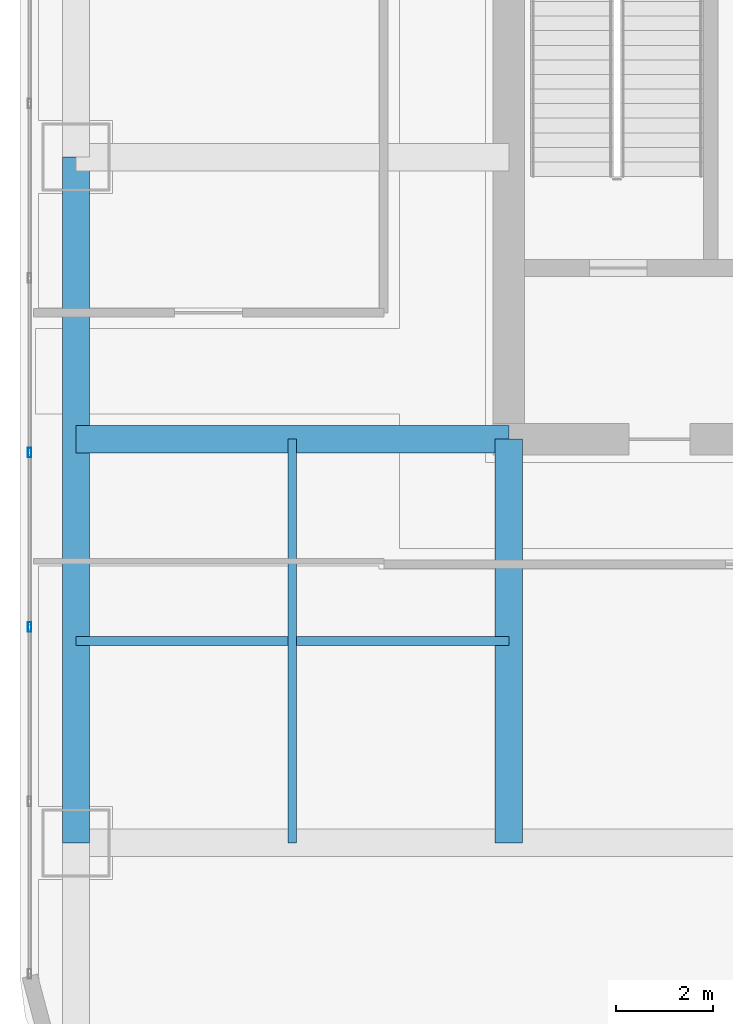
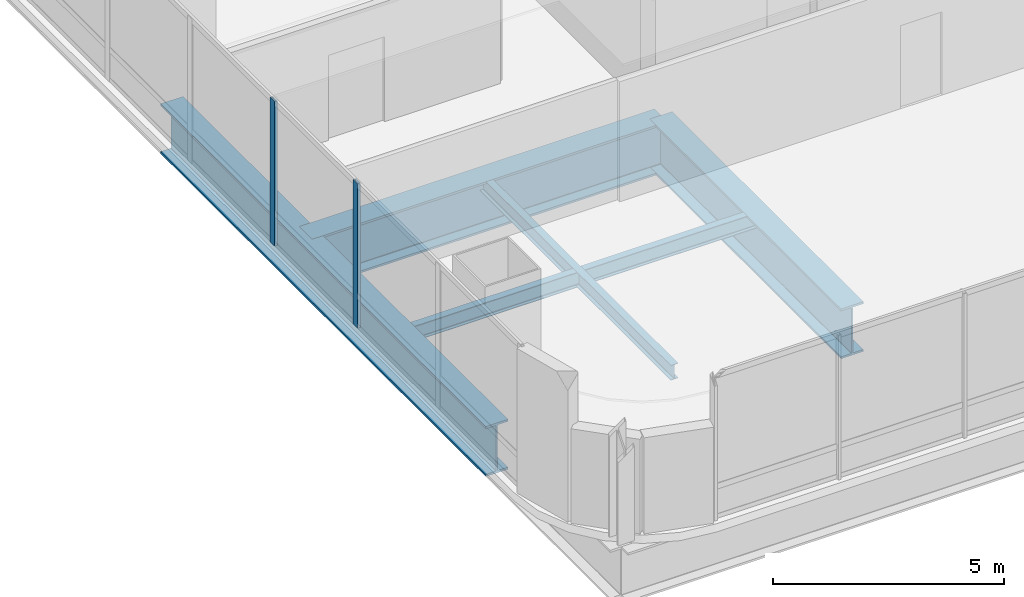
# One storey, part 4 of 41: 5 beams, 2 members, 1 element without a shape of its own.
"""IFC4 building model written with IfcOpenShell, lengths in metres."""

from ifc_helpers import new_model, si_unit, direction, frame, origin, origin_2d, place, context, subcontext, project, spatial, hollow_rectangle, i_section, extrude, material, material_profile, profile_set, type_object, element, aggregate, save


model = new_model("IFC4")

# Units and contexts
model_context = context("Model", 3, precision=1e-05, world=origin(), true_north=direction((0.0, 1.0)))
body_context = subcontext(model_context, "Body", "Model", "MODEL_VIEW")
ifc_project = project(units=[si_unit("LENGTHUNIT", "METRE"), si_unit("AREAUNIT", "SQUARE_METRE"), si_unit("VOLUMEUNIT", "CUBIC_METRE"), si_unit("PLANEANGLEUNIT", "RADIAN"), si_unit("MASSUNIT", "GRAM", prefix="KILO")], contexts=[model_context])

# Site, building, storey
site_placement = place(None, origin())
site = spatial("IfcSite", under=ifc_project, at=site_placement, CompositionType="ELEMENT")
building_placement = place(site_placement, origin())
building = spatial("IfcBuilding", under=site, at=building_placement, Name="Punatoya Terracotta Tower", CompositionType="ELEMENT")
storey_placement = place(building_placement, frame((0.0, 0.0, 220.800048828125)))
storey = spatial("IfcBuildingStorey", under=building, at=storey_placement, Name="L52", CompositionType="ELEMENT", Elevation=220.800048828125)

# Beams
ifc_material_1 = material(Name="Steel S355", Category="steel")
ifc_material_profile_1 = material_profile(ifc_material_1, i_section(OverallWidth=0.179931640625, OverallDepth=0.39990234375, WebThickness=0.008544921875, FlangeThickness=0.013427734375, FilletRadius=0.01806640625, at=origin_2d()))
ifc_profile_set_1 = profile_set([ifc_material_profile_1], Name="Steel S355")
beam_type_1 = type_object("IfcBeamType", Name="BM-SEC-400", PredefinedType="JOIST", material=ifc_profile_set_1)
beam_1_placement = place(storey_placement, frame((-19.10009765625, -13.35009765625, -0.420166015625), z_axis=(1.0, 0.0, 0.0), x_axis=(0.0, 1.0, 0.0)))
element("IfcBeam", 1, at=beam_1_placement, inside=storey, type_object=beam_type_1, Name="BM-L52-SJS-1", PredefinedType="JOIST", context=body_context, shape_type="SweptSolid", body=[
    extrude(i_section(OverallWidth=0.179931640625, OverallDepth=0.39990234375, WebThickness=0.008544921875, FlangeThickness=0.013427734375, FilletRadius=0.01806640625, at=origin_2d()), origin(), (0.0, 0.0, 1.0), 8.900146484375),
])
beam_2_placement = place(storey_placement, frame((-14.64990234375, -17.5, -0.420166015625), z_axis=(0.0, 1.0, 0.0), x_axis=(-1.0, 0.0, 0.0)))
element("IfcBeam", 2, at=beam_2_placement, inside=storey, type_object=beam_type_1, Name="BM-L52-SJW-1", PredefinedType="JOIST", context=body_context, shape_type="SweptSolid", body=[
    extrude(i_section(OverallWidth=0.179931640625, OverallDepth=0.39990234375, WebThickness=0.008544921875, FlangeThickness=0.013427734375, FilletRadius=0.01806640625, at=origin_2d()), origin(), (0.0, 0.0, 1.0), 8.300048828125),
])
ifc_material_2 = material(Name="Steel S460", Category="steel")
ifc_material_profile_2 = material_profile(ifc_material_2, i_section(OverallWidth=0.56005859375, OverallDepth=1.320068359375, WebThickness=0.035888671875, FlangeThickness=0.054931640625, FilletRadius=0.01806640625, at=origin_2d()))
ifc_profile_set_2 = profile_set([ifc_material_profile_2], Name="Steel S460")
beam_type_2 = type_object("IfcBeamType", Name="BM-TG-BLK", PredefinedType="BEAM", material=ifc_profile_set_2)
beam_3_placement = place(storey_placement, frame((-19.10009765625, -17.5, -0.880126953125), z_axis=(0.0, 1.0, 0.0), x_axis=(-1.0, 0.0, 0.0)))
element("IfcBeam", 3, at=beam_3_placement, inside=storey, type_object=beam_type_2, Name="BM-L52-RG-W1", PredefinedType="BEAM", context=body_context, shape_type="SweptSolid", body=[
    extrude(i_section(OverallWidth=0.56005859375, OverallDepth=1.320068359375, WebThickness=0.035888671875, FlangeThickness=0.054931640625, FilletRadius=0.01806640625, at=origin_2d()), origin(), (0.0, 0.0, 1.0), 14.10009765625),
])
beam_4_placement = place(storey_placement, frame((-19.10009765625, -9.199951171875, -0.880126953125), z_axis=(1.0, 0.0, 0.0), x_axis=(0.0, 1.0, 0.0)))
element("IfcBeam", 4, at=beam_4_placement, inside=storey, type_object=beam_type_2, Name="BM-L52-PR-WS", PredefinedType="BEAM", context=body_context, shape_type="SweptSolid", body=[
    extrude(i_section(OverallWidth=0.56005859375, OverallDepth=1.320068359375, WebThickness=0.035888671875, FlangeThickness=0.054931640625, FilletRadius=0.01806640625, at=origin_2d()), origin(), (0.0, 0.0, 1.0), 8.900146484375),
])
beam_5_placement = place(storey_placement, frame((-10.199951171875, -17.5, -0.880126953125), z_axis=(0.0, 1.0, 0.0), x_axis=(-1.0, 0.0, 0.0)))
element("IfcBeam", 5, at=beam_5_placement, inside=storey, type_object=beam_type_2, Name="BM-L52-PR-S1", PredefinedType="BEAM", context=body_context, shape_type="SweptSolid", body=[
    extrude(i_section(OverallWidth=0.56005859375, OverallDepth=1.320068359375, WebThickness=0.035888671875, FlangeThickness=0.054931640625, FilletRadius=0.01806640625, at=origin_2d()), origin(), (0.0, 0.0, 1.0), 8.300048828125),
])

# Curtain wall, members
ifc_material_3 = material(Name="Aluminium 6063-T6 + Double Low-E Glass", Category="aluminium")
curtain_wall_type = type_object("IfcCurtainWallType", Name="CW-M2", PredefinedType="NOTDEFINED", material=ifc_material_3)
curtain_wall_placement = place(storey_placement, origin())
curtain_wall = element("IfcCurtainWall", 6, at=curtain_wall_placement, inside=storey, type_object=curtain_wall_type, Name="L52 Curtain Wall CW-L52-W11-1", PredefinedType="NOTDEFINED")
ifc_material_4 = material(Name="Aluminium 6063-T6", Category="aluminium")
ifc_material_profile_3 = material_profile(ifc_material_4, hollow_rectangle(XDim=0.072021484375, YDim=0.195068359375, WallThickness=0.00439453125, at=origin_2d()))
ifc_profile_set_3 = profile_set([ifc_material_profile_3], Name="Aluminium 6063-T6")
member_type = type_object("IfcMemberType", Name="CW-MUL-M2", PredefinedType="MULLION", material=ifc_profile_set_3)
member_1_placement = place(storey_placement, frame((-20.050048828125, -9.474609375, 0.0), z_axis=(0.0, 0.0, 1.0), x_axis=(1.0, 0.0, 0.0)))
member_1 = element("IfcMember", 7, at=member_1_placement, type_object=member_type, Name="CW-L52-W11-1 Mullion 06", PredefinedType="MULLION", context=body_context, shape_type="SweptSolid", body=[
    extrude(hollow_rectangle(XDim=0.072021484375, YDim=0.195068359375, WallThickness=0.00439453125, at=origin_2d()), origin(), (0.0, 0.0, 1.0), 3.829833984375),
])
member_2_placement = place(storey_placement, frame((-20.050048828125, -13.06201171875, 0.0), z_axis=(0.0, 0.0, 1.0), x_axis=(1.0, 0.0, 0.0)))
member_2 = element("IfcMember", 8, at=member_2_placement, type_object=member_type, Name="CW-L52-W11-1 Mullion 07", PredefinedType="MULLION", context=body_context, shape_type="SweptSolid", body=[
    extrude(hollow_rectangle(XDim=0.072021484375, YDim=0.195068359375, WallThickness=0.00439453125, at=origin_2d()), origin(), (0.0, 0.0, 1.0), 3.829833984375),
])
aggregate(curtain_wall, [member_1, member_2])

save(model, "model.ifc")
